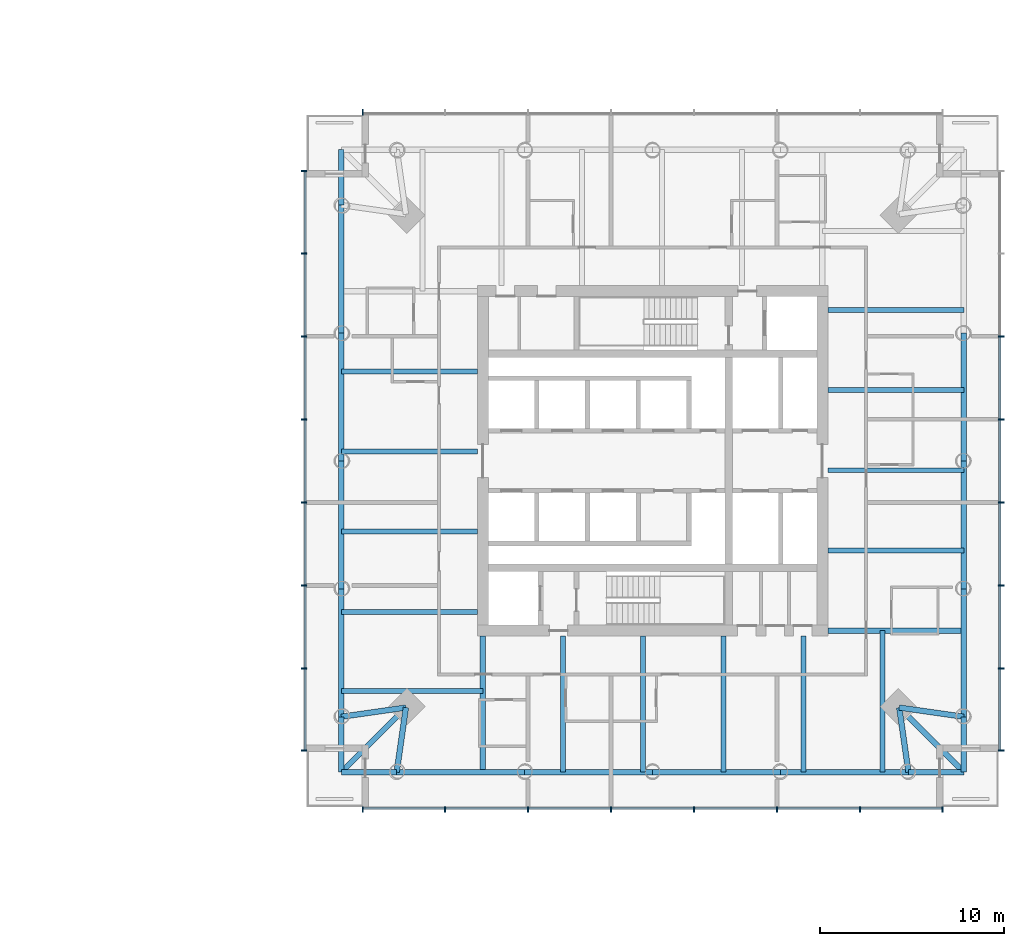
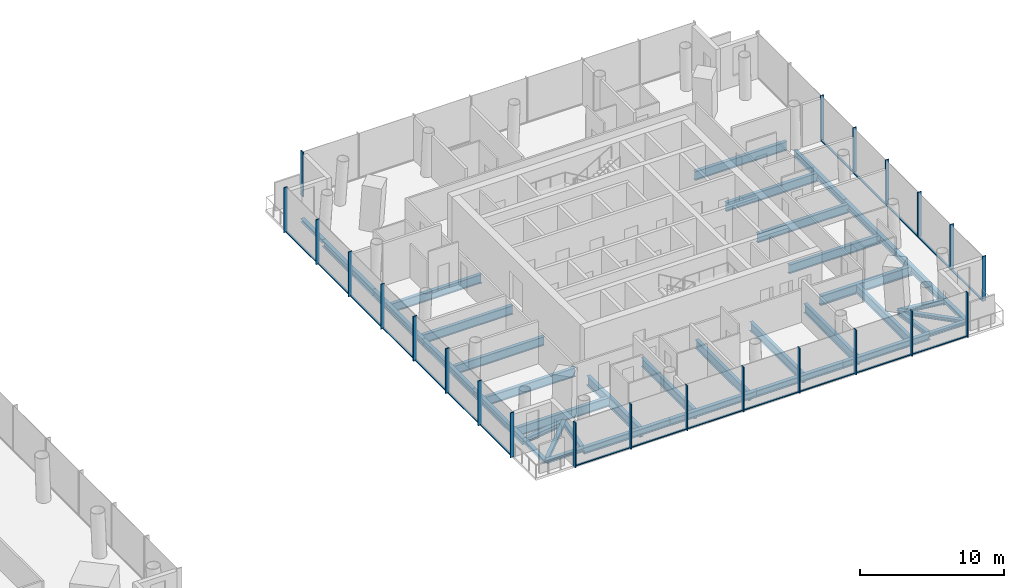
# One storey, part 4 of 18: 42 members, 38 beams, 4 elements without a shape of their own.
"""IFC4 building model written with IfcOpenShell, lengths in metres."""

from ifc_helpers import new_model, si_unit, direction, frame, origin, origin_2d, place, context, subcontext, project, spatial, rectangle, i_section, extrude, material, material_profile, profile_set, type_object, element, aggregate, save


model = new_model("IFC4")

# Units and contexts
model_context = context("Model", 3, precision=1e-05, world=origin(), true_north=direction((0.0, 1.0)))
body_context = subcontext(model_context, "Body", "Model", "MODEL_VIEW")
ifc_project = project(units=[si_unit("LENGTHUNIT", "METRE"), si_unit("AREAUNIT", "SQUARE_METRE"), si_unit("VOLUMEUNIT", "CUBIC_METRE"), si_unit("PLANEANGLEUNIT", "RADIAN"), si_unit("MASSUNIT", "GRAM", prefix="KILO")], contexts=[model_context])

# Site, building, storey
site_placement = place(None, origin())
site = spatial("IfcSite", under=ifc_project, at=site_placement, CompositionType="ELEMENT")
building_placement = place(site_placement, origin())
building = spatial("IfcBuilding", under=site, at=building_placement, Name="Ostroluk Exchange", CompositionType="ELEMENT")
storey_placement = place(building_placement, frame((0.0, 0.0, 70.39990234375)))
storey = spatial("IfcBuildingStorey", under=building, at=storey_placement, Name="L17", CompositionType="ELEMENT", Elevation=70.39990234375)

# Beams
ifc_material_1 = material(Name="Steel S355", Category="steel")
ifc_material_profile_1 = material_profile(ifc_material_1, i_section(OverallWidth=0.300048828125, OverallDepth=0.300048828125, WebThickness=0.010986328125, FlangeThickness=0.01904296875, FilletRadius=0.027099609375, at=origin_2d()), Name="HEB 300")
ifc_profile_set_1 = profile_set([ifc_material_profile_1], Name="Steel S355")
beam_type_1 = type_object("IfcBeamType", Name="Balcony beam HEB 300", PredefinedType="BEAM", material=ifc_profile_set_1)
for number, where, z_axis, x_axis, name in (
    (1, (100.12939453125, 59.87060546875, -0.349853515625), (0.0, 1.0, 0.0), (-1.0, 0.0, 0.0), "T2 north balcony beam b"),
    (2, (100.12939453125, 32.12939453125, -0.349853515625), (0.0, -1.0, 0.0), (1.0, 0.0, 0.0), "T2 west balcony beam a"),
    (3, (103.12939453125, 29.12939453125, -0.349853515625), (-1.0, 0.0, 0.0), (0.0, -1.0, 0.0), "T2 west balcony beam b"),
):
    element("IfcBeam", number, at=place(storey_placement, frame(where, z_axis=z_axis, x_axis=x_axis)), inside=storey, type_object=beam_type_1, Name=name, PredefinedType="BEAM", context=body_context, shape_type="SweptSolid", body=[
        extrude(i_section(OverallWidth=0.300048828125, OverallDepth=0.300048828125, WebThickness=0.010986328125, FlangeThickness=0.01904296875, FilletRadius=0.027099609375, at=origin_2d()), origin(), (0.0, 0.0, 1.0), 3.0),
    ])
beam_1_placement = place(storey_placement, frame((103.62939453125, 32.62939453125, -0.349853515625), z_axis=(-0.707106781187, -0.707106781187, 0.0), x_axis=(0.707106781187, -0.707106781187, 0.0)))
element("IfcBeam", 4, at=beam_1_placement, inside=storey, type_object=beam_type_1, Name="T2 west balcony beam c", PredefinedType="BEAM", context=body_context, shape_type="SweptSolid", body=[
    extrude(i_section(OverallWidth=0.300048828125, OverallDepth=0.300048828125, WebThickness=0.010986328125, FlangeThickness=0.01904296875, FilletRadius=0.027099609375, at=origin_2d()), origin(), (0.0, 0.0, 1.0), 4.94970703125),
])
for number, where, z_axis, x_axis, name in (
    (5, (130.87060546875, 29.12939453125, -0.349853515625), (1.0, 0.0, 0.0), (0.0, 1.0, 0.0), "T2 south balcony beam a"),
    (6, (133.87060546875, 32.12939453125, -0.349853515625), (0.0, -1.0, 0.0), (1.0, 0.0, 0.0), "T2 south balcony beam b"),
):
    element("IfcBeam", number, at=place(storey_placement, frame(where, z_axis=z_axis, x_axis=x_axis)), inside=storey, type_object=beam_type_1, Name=name, PredefinedType="BEAM", context=body_context, shape_type="SweptSolid", body=[
        extrude(i_section(OverallWidth=0.300048828125, OverallDepth=0.300048828125, WebThickness=0.010986328125, FlangeThickness=0.01904296875, FilletRadius=0.027099609375, at=origin_2d()), origin(), (0.0, 0.0, 1.0), 3.0),
    ])
beam_2_placement = place(storey_placement, frame((130.37060546875, 32.62939453125, -0.349853515625), z_axis=(0.707106781187, -0.707106781187, 0.0), x_axis=(0.707106781187, 0.707106781187, 0.0)))
element("IfcBeam", 7, at=beam_2_placement, inside=storey, type_object=beam_type_1, Name="T2 south balcony beam c", PredefinedType="BEAM", context=body_context, shape_type="SweptSolid", body=[
    extrude(i_section(OverallWidth=0.300048828125, OverallDepth=0.300048828125, WebThickness=0.010986328125, FlangeThickness=0.01904296875, FilletRadius=0.027099609375, at=origin_2d()), origin(), (0.0, 0.0, 1.0), 4.94970703125),
])
ifc_material_2 = material(Name="Steel S355", Category="steel")
ifc_material_profile_2 = material_profile(ifc_material_2, i_section(OverallWidth=0.300048828125, OverallDepth=0.39990234375, WebThickness=0.013427734375, FlangeThickness=0.02392578125, FilletRadius=0.027099609375, at=origin_2d()), Name="HEB 400")
ifc_profile_set_2 = profile_set([ifc_material_profile_2], Name="Steel S355")
beam_type_2 = type_object("IfcBeamType", Name="Corner edge beam HEB 400", PredefinedType="SPANDREL", material=ifc_profile_set_2)
for number, where, z_axis, x_axis, name in (
    (8, (103.62939453125, 32.62939453125, -0.39990234375), (-0.989949493661, -0.141421356237, 0.0), (0.141421356237, -0.989949493661, 0.0), "T2 west corner edge beam a"),
    (9, (103.62939453125, 32.62939453125, -0.39990234375), (-0.141421356237, -0.989949493661, 0.0), (0.989949493661, -0.141421356237, 0.0), "T2 west corner edge beam b"),
    (10, (130.37060546875, 32.62939453125, -0.39990234375), (0.141421356237, -0.989949493661, 0.0), (0.989949493661, 0.141421356237, 0.0), "T2 south corner edge beam a"),
    (11, (130.37060546875, 32.62939453125, -0.39990234375), (0.989949493661, -0.141421356237, 0.0), (0.141421356237, 0.989949493661, 0.0), "T2 south corner edge beam b"),
):
    element("IfcBeam", number, at=place(storey_placement, frame(where, z_axis=z_axis, x_axis=x_axis)), inside=storey, type_object=beam_type_2, Name=name, PredefinedType="SPANDREL", context=body_context, shape_type="SweptSolid", body=[
        extrude(i_section(OverallWidth=0.300048828125, OverallDepth=0.39990234375, WebThickness=0.013427734375, FlangeThickness=0.02392578125, FilletRadius=0.027099609375, at=origin_2d()), origin(), (0.0, 0.0, 1.0), 3.53564453125),
    ])
ifc_material_3 = material(Name="Steel S355", Category="steel")
ifc_material_profile_3 = material_profile(ifc_material_3, i_section(OverallWidth=0.264892578125, OverallDepth=0.7529296875, WebThickness=0.01318359375, FlangeThickness=0.01708984375, FilletRadius=0.01708984375, at=origin_2d()), Name="IPE 750x147")
ifc_profile_set_3 = profile_set([ifc_material_profile_3], Name="Steel S355")
beam_type_3 = type_object("IfcBeamType", Name="Floor beam IPE 750x147", PredefinedType="BEAM", material=ifc_profile_set_3)
for number, where, z_axis, x_axis, name in (
    (12, (126.5, 41.14501953125, -0.576416015625), (1.0, 0.0, 0.0), (0.0, 1.0, 0.0), "T2 east floor beam 1"),
    (13, (126.5, 45.490234375, -0.576416015625), (1.0, 0.0, 0.0), (0.0, 1.0, 0.0), "T2 east floor beam 2"),
    (14, (126.5, 49.83544921875, -0.576416015625), (1.0, 0.0, 0.0), (0.0, 1.0, 0.0), "T2 east floor beam 3"),
    (15, (126.5, 54.180419921875, -0.576416015625), (1.0, 0.0, 0.0), (0.0, 1.0, 0.0), "T2 east floor beam 4"),
    (16, (107.5, 50.85498046875, -0.576416015625), (-1.0, 0.0, 0.0), (0.0, -1.0, 0.0), "T2 west floor beam 1"),
    (17, (107.5, 46.509765625, -0.576416015625), (-1.0, 0.0, 0.0), (0.0, -1.0, 0.0), "T2 west floor beam 2"),
    (18, (107.5, 42.16455078125, -0.576416015625), (-1.0, 0.0, 0.0), (0.0, -1.0, 0.0), "T2 west floor beam 3"),
    (19, (107.5, 37.819580078125, -0.576416015625), (-1.0, 0.0, 0.0), (0.0, -1.0, 0.0), "T2 west floor beam 4"),
):
    element("IfcBeam", number, at=place(storey_placement, frame(where, z_axis=z_axis, x_axis=x_axis)), inside=storey, type_object=beam_type_3, Name=name, PredefinedType="BEAM", context=body_context, shape_type="SweptSolid", body=[
        extrude(i_section(OverallWidth=0.264892578125, OverallDepth=0.7529296875, WebThickness=0.01318359375, FlangeThickness=0.01708984375, FilletRadius=0.01708984375, at=origin_2d()), origin(), (0.0, 0.0, 1.0), 7.37060546875),
    ])
beam_3_placement = place(storey_placement, frame((107.800048828125, 33.529296875, -0.576416015625), z_axis=(-1.0, 0.0, 0.0), x_axis=(0.0, -1.0, 0.0)))
element("IfcBeam", 20, at=beam_3_placement, inside=storey, type_object=beam_type_3, Name="T2 west floor beam 5", PredefinedType="BEAM", context=body_context, shape_type="SweptSolid", body=[
    extrude(i_section(OverallWidth=0.264892578125, OverallDepth=0.7529296875, WebThickness=0.01318359375, FlangeThickness=0.01708984375, FilletRadius=0.01708984375, at=origin_2d()), origin(), (0.0, 0.0, 1.0), 7.670654296875),
])
for number, where, z_axis, x_axis, name in (
    (21, (112.14501953125, 36.5, -0.576416015625), (0.0, -1.0, 0.0), (1.0, 0.0, 0.0), "T2 south floor beam 1"),
    (22, (116.490234375, 36.5, -0.576416015625), (0.0, -1.0, 0.0), (1.0, 0.0, 0.0), "T2 south floor beam 2"),
    (23, (120.83544921875, 36.5, -0.576416015625), (0.0, -1.0, 0.0), (1.0, 0.0, 0.0), "T2 south floor beam 3"),
    (24, (125.180419921875, 36.5, -0.576416015625), (0.0, -1.0, 0.0), (1.0, 0.0, 0.0), "T2 south floor beam 4"),
):
    element("IfcBeam", number, at=place(storey_placement, frame(where, z_axis=z_axis, x_axis=x_axis)), inside=storey, type_object=beam_type_3, Name=name, PredefinedType="BEAM", context=body_context, shape_type="SweptSolid", body=[
        extrude(i_section(OverallWidth=0.264892578125, OverallDepth=0.7529296875, WebThickness=0.01318359375, FlangeThickness=0.01708984375, FilletRadius=0.01708984375, at=origin_2d()), origin(), (0.0, 0.0, 1.0), 7.37060546875),
    ])
beam_4_placement = place(storey_placement, frame((129.470703125, 36.800048828125, -0.576416015625), z_axis=(0.0, -1.0, 0.0), x_axis=(1.0, 0.0, 0.0)))
element("IfcBeam", 25, at=beam_4_placement, inside=storey, type_object=beam_type_3, Name="T2 south floor beam 5", PredefinedType="BEAM", context=body_context, shape_type="SweptSolid", body=[
    extrude(i_section(OverallWidth=0.264892578125, OverallDepth=0.7529296875, WebThickness=0.01318359375, FlangeThickness=0.01708984375, FilletRadius=0.01708984375, at=origin_2d()), origin(), (0.0, 0.0, 1.0), 7.670654296875),
])
ifc_material_4 = material(Name="Steel S355", Category="steel")
ifc_material_profile_4 = material_profile(ifc_material_4, i_section(OverallWidth=0.300048828125, OverallDepth=0.800048828125, WebThickness=0.017578125, FlangeThickness=0.032958984375, FilletRadius=0.030029296875, at=origin_2d()), Name="HEB 800")
ifc_profile_set_4 = profile_set([ifc_material_profile_4], Name="Steel S355")
beam_type_4 = type_object("IfcBeamType", Name="Girder HEB 800", PredefinedType="BEAM", material=ifc_profile_set_4)
for number, where, z_axis, x_axis, name in (
    (26, (107.800048828125, 36.5, -0.599853515625), (0.0, -1.0, 0.0), (1.0, 0.0, 0.0), "T2 west girder"),
    (27, (126.5, 36.800048828125, -0.599853515625), (1.0, 0.0, 0.0), (0.0, 1.0, 0.0), "T2 south girder"),
):
    element("IfcBeam", number, at=place(storey_placement, frame(where, z_axis=z_axis, x_axis=x_axis)), inside=storey, type_object=beam_type_4, Name=name, PredefinedType="BEAM", context=body_context, shape_type="SweptSolid", body=[
        extrude(i_section(OverallWidth=0.300048828125, OverallDepth=0.800048828125, WebThickness=0.017578125, FlangeThickness=0.032958984375, FilletRadius=0.030029296875, at=origin_2d()), origin(), (0.0, 0.0, 1.0), 7.37060546875),
    ])
ifc_material_5 = material(Name="Steel S355", Category="steel")
ifc_material_profile_5 = material_profile(ifc_material_5, i_section(OverallWidth=0.300048828125, OverallDepth=0.550048828125, WebThickness=0.014892578125, FlangeThickness=0.029052734375, FilletRadius=0.027099609375, at=origin_2d()), Name="HEB 550")
ifc_profile_set_5 = profile_set([ifc_material_profile_5], Name="Steel S355")
beam_type_5 = type_object("IfcBeamType", Name="Moment-connected edge beam HEB 550", PredefinedType="SPANDREL", material=ifc_profile_set_5)
for number, where, z_axis, x_axis, name in (
    (28, (133.87060546875, 32.12939453125, -0.474853515625), (0.0, 1.0, 0.0), (-1.0, 0.0, 0.0), "T2 east edge beam 1"),
    (29, (133.87060546875, 39.064697265625, -0.474853515625), (0.0, 1.0, 0.0), (-1.0, 0.0, 0.0), "T2 east edge beam 2"),
    (30, (133.87060546875, 46.0, -0.474853515625), (0.0, 1.0, 0.0), (-1.0, 0.0, 0.0), "T2 east edge beam 3"),
    (31, (100.12939453125, 59.87060546875, -0.474853515625), (0.0, -1.0, 0.0), (1.0, 0.0, 0.0), "T2 west edge beam 1"),
    (32, (100.12939453125, 52.935302734375, -0.474853515625), (0.0, -1.0, 0.0), (1.0, 0.0, 0.0), "T2 west edge beam 2"),
    (33, (100.12939453125, 46.0, -0.474853515625), (0.0, -1.0, 0.0), (1.0, 0.0, 0.0), "T2 west edge beam 3"),
    (34, (100.12939453125, 39.064697265625, -0.474853515625), (0.0, -1.0, 0.0), (1.0, 0.0, 0.0), "T2 west edge beam 4"),
    (35, (103.12939453125, 29.12939453125, -0.474853515625), (1.0, 0.0, 0.0), (0.0, 1.0, 0.0), "T2 south edge beam 1"),
    (36, (110.064697265625, 29.12939453125, -0.474853515625), (1.0, 0.0, 0.0), (0.0, 1.0, 0.0), "T2 south edge beam 2"),
    (37, (117.0, 29.12939453125, -0.474853515625), (1.0, 0.0, 0.0), (0.0, 1.0, 0.0), "T2 south edge beam 3"),
    (38, (123.935302734375, 29.12939453125, -0.474853515625), (1.0, 0.0, 0.0), (0.0, 1.0, 0.0), "T2 south edge beam 4"),
):
    element("IfcBeam", number, at=place(storey_placement, frame(where, z_axis=z_axis, x_axis=x_axis)), inside=storey, type_object=beam_type_5, Name=name, PredefinedType="SPANDREL", context=body_context, shape_type="SweptSolid", body=[
        extrude(i_section(OverallWidth=0.300048828125, OverallDepth=0.550048828125, WebThickness=0.014892578125, FlangeThickness=0.029052734375, FilletRadius=0.027099609375, at=origin_2d()), origin(), (0.0, 0.0, 1.0), 6.935302734375),
    ])

# Curtain wall, members
ifc_material_6 = material(Name="Laminated clear glass", Category="glass")
curtain_wall_type = type_object("IfcCurtainWallType", Name="Hotel guest floor facade", PredefinedType="USERDEFINED", material=ifc_material_6)
curtain_wall_1_placement = place(storey_placement, origin())
curtain_wall_1 = element("IfcCurtainWall", 39, at=curtain_wall_1_placement, inside=storey, type_object=curtain_wall_type, Name="Hotel tower south facade L17", ObjectType="UNITISED CURTAIN WALL", PredefinedType="USERDEFINED")
ifc_material_7 = material(Name="Aluminium mullion", Category="aluminium")
ifc_material_profile_6 = material_profile(ifc_material_7, rectangle(XDim=0.14990234375, YDim=0.080078125, at=origin_2d()), Name="Sill transom 80 x 150")
ifc_profile_set_6 = profile_set([ifc_material_profile_6], Name="Aluminium mullion")
member_type_1 = type_object("IfcMemberType", Name="Sill transom 80 x 150", PredefinedType="USERDEFINED", material=ifc_profile_set_6)
member_1_placement = place(storey_placement, frame((101.330078125, 27.175048828125, 0.0400390625), z_axis=(1.0, 0.0, 0.0), x_axis=(0.0, 1.0, 0.0)))
member_1 = element("IfcMember", 40, at=member_1_placement, type_object=member_type_1, Name="CW-H1 transom 1.1", ObjectType="TRANSOM", PredefinedType="USERDEFINED", context=body_context, shape_type="SweptSolid", body=[
    extrude(rectangle(XDim=0.14990234375, YDim=0.080078125, at=origin_2d()), origin(), (0.0, 0.0, 1.0), 4.3798828125),
])
member_2_placement = place(storey_placement, frame((105.7900390625, 27.175048828125, 0.0400390625), z_axis=(1.0, 0.0, 0.0), x_axis=(0.0, 1.0, 0.0)))
member_2 = element("IfcMember", 41, at=member_2_placement, type_object=member_type_1, Name="CW-H1 transom 2.1", ObjectType="TRANSOM", PredefinedType="USERDEFINED", context=body_context, shape_type="SweptSolid", body=[
    extrude(rectangle(XDim=0.14990234375, YDim=0.080078125, at=origin_2d()), origin(), (0.0, 0.0, 1.0), 4.419921875),
])
member_3_placement = place(storey_placement, frame((110.2900390625, 27.175048828125, 0.0400390625), z_axis=(1.0, 0.0, 0.0), x_axis=(0.0, 1.0, 0.0)))
member_3 = element("IfcMember", 42, at=member_3_placement, type_object=member_type_1, Name="CW-H1 transom 3.1", ObjectType="TRANSOM", PredefinedType="USERDEFINED", context=body_context, shape_type="SweptSolid", body=[
    extrude(rectangle(XDim=0.14990234375, YDim=0.080078125, at=origin_2d()), origin(), (0.0, 0.0, 1.0), 4.419921875),
])
member_4_placement = place(storey_placement, frame((114.7900390625, 27.175048828125, 0.0400390625), z_axis=(1.0, 0.0, 0.0), x_axis=(0.0, 1.0, 0.0)))
member_4 = element("IfcMember", 43, at=member_4_placement, type_object=member_type_1, Name="CW-H1 transom 4.1", ObjectType="TRANSOM", PredefinedType="USERDEFINED", context=body_context, shape_type="SweptSolid", body=[
    extrude(rectangle(XDim=0.14990234375, YDim=0.080078125, at=origin_2d()), origin(), (0.0, 0.0, 1.0), 4.419921875),
])
member_5_placement = place(storey_placement, frame((119.2900390625, 27.175048828125, 0.0400390625), z_axis=(1.0, 0.0, 0.0), x_axis=(0.0, 1.0, 0.0)))
member_5 = element("IfcMember", 44, at=member_5_placement, type_object=member_type_1, Name="CW-H1 transom 5.1", ObjectType="TRANSOM", PredefinedType="USERDEFINED", context=body_context, shape_type="SweptSolid", body=[
    extrude(rectangle(XDim=0.14990234375, YDim=0.080078125, at=origin_2d()), origin(), (0.0, 0.0, 1.0), 4.419921875),
])
member_6_placement = place(storey_placement, frame((123.7900390625, 27.175048828125, 0.0400390625), z_axis=(1.0, 0.0, 0.0), x_axis=(0.0, 1.0, 0.0)))
member_6 = element("IfcMember", 45, at=member_6_placement, type_object=member_type_1, Name="CW-H1 transom 6.1", ObjectType="TRANSOM", PredefinedType="USERDEFINED", context=body_context, shape_type="SweptSolid", body=[
    extrude(rectangle(XDim=0.14990234375, YDim=0.080078125, at=origin_2d()), origin(), (0.0, 0.0, 1.0), 4.419921875),
])
member_7_placement = place(storey_placement, frame((128.2900390625, 27.175048828125, 0.0400390625), z_axis=(1.0, 0.0, 0.0), x_axis=(0.0, 1.0, 0.0)))
member_7 = element("IfcMember", 46, at=member_7_placement, type_object=member_type_1, Name="CW-H1 transom 7.1", ObjectType="TRANSOM", PredefinedType="USERDEFINED", context=body_context, shape_type="SweptSolid", body=[
    extrude(rectangle(XDim=0.14990234375, YDim=0.080078125, at=origin_2d()), origin(), (0.0, 0.0, 1.0), 4.3798828125),
])

curtain_wall_2_placement = place(storey_placement, origin())
curtain_wall_2 = element("IfcCurtainWall", 47, at=curtain_wall_2_placement, inside=storey, type_object=curtain_wall_type, Name="Hotel tower east facade L17", ObjectType="UNITISED CURTAIN WALL", PredefinedType="USERDEFINED")
member_8_placement = place(storey_placement, frame((135.824951171875, 30.330078125, 0.0400390625), z_axis=(0.0, 1.0, 0.0), x_axis=(-1.0, 0.0, 0.0)))
member_8 = element("IfcMember", 48, at=member_8_placement, type_object=member_type_1, Name="CW-H1 transom 1.1", ObjectType="TRANSOM", PredefinedType="USERDEFINED", context=body_context, shape_type="SweptSolid", body=[
    extrude(rectangle(XDim=0.14990234375, YDim=0.080078125, at=origin_2d()), origin(), (0.0, 0.0, 1.0), 4.3798828125),
])
member_9_placement = place(storey_placement, frame((135.824951171875, 34.7900390625, 0.0400390625), z_axis=(0.0, 1.0, 0.0), x_axis=(-1.0, 0.0, 0.0)))
member_9 = element("IfcMember", 49, at=member_9_placement, type_object=member_type_1, Name="CW-H1 transom 2.1", ObjectType="TRANSOM", PredefinedType="USERDEFINED", context=body_context, shape_type="SweptSolid", body=[
    extrude(rectangle(XDim=0.14990234375, YDim=0.080078125, at=origin_2d()), origin(), (0.0, 0.0, 1.0), 4.419921875),
])
member_10_placement = place(storey_placement, frame((135.824951171875, 39.2900390625, 0.0400390625), z_axis=(0.0, 1.0, 0.0), x_axis=(-1.0, 0.0, 0.0)))
member_10 = element("IfcMember", 50, at=member_10_placement, type_object=member_type_1, Name="CW-H1 transom 3.1", ObjectType="TRANSOM", PredefinedType="USERDEFINED", context=body_context, shape_type="SweptSolid", body=[
    extrude(rectangle(XDim=0.14990234375, YDim=0.080078125, at=origin_2d()), origin(), (0.0, 0.0, 1.0), 4.419921875),
])
member_11_placement = place(storey_placement, frame((135.824951171875, 43.7900390625, 0.0400390625), z_axis=(0.0, 1.0, 0.0), x_axis=(-1.0, 0.0, 0.0)))
member_11 = element("IfcMember", 51, at=member_11_placement, type_object=member_type_1, Name="CW-H1 transom 4.1", ObjectType="TRANSOM", PredefinedType="USERDEFINED", context=body_context, shape_type="SweptSolid", body=[
    extrude(rectangle(XDim=0.14990234375, YDim=0.080078125, at=origin_2d()), origin(), (0.0, 0.0, 1.0), 4.419921875),
])
member_12_placement = place(storey_placement, frame((135.824951171875, 48.2900390625, 0.0400390625), z_axis=(0.0, 1.0, 0.0), x_axis=(-1.0, 0.0, 0.0)))
member_12 = element("IfcMember", 52, at=member_12_placement, type_object=member_type_1, Name="CW-H1 transom 5.1", ObjectType="TRANSOM", PredefinedType="USERDEFINED", context=body_context, shape_type="SweptSolid", body=[
    extrude(rectangle(XDim=0.14990234375, YDim=0.080078125, at=origin_2d()), origin(), (0.0, 0.0, 1.0), 4.419921875),
])

curtain_wall_3_placement = place(storey_placement, origin())
curtain_wall_3 = element("IfcCurtainWall", 53, at=curtain_wall_3_placement, inside=storey, type_object=curtain_wall_type, Name="Hotel tower west facade L17", ObjectType="UNITISED CURTAIN WALL", PredefinedType="USERDEFINED")
member_13_placement = place(storey_placement, frame((98.175048828125, 61.669921875, 0.0400390625), z_axis=(0.0, -1.0, 0.0), x_axis=(1.0, 0.0, 0.0)))
member_13 = element("IfcMember", 54, at=member_13_placement, type_object=member_type_1, Name="CW-H1 transom 1.1", ObjectType="TRANSOM", PredefinedType="USERDEFINED", context=body_context, shape_type="SweptSolid", body=[
    extrude(rectangle(XDim=0.14990234375, YDim=0.080078125, at=origin_2d()), origin(), (0.0, 0.0, 1.0), 4.3798828125),
])
member_14_placement = place(storey_placement, frame((98.175048828125, 57.2099609375, 0.0400390625), z_axis=(0.0, -1.0, 0.0), x_axis=(1.0, 0.0, 0.0)))
member_14 = element("IfcMember", 55, at=member_14_placement, type_object=member_type_1, Name="CW-H1 transom 2.1", ObjectType="TRANSOM", PredefinedType="USERDEFINED", context=body_context, shape_type="SweptSolid", body=[
    extrude(rectangle(XDim=0.14990234375, YDim=0.080078125, at=origin_2d()), origin(), (0.0, 0.0, 1.0), 4.419921875),
])
member_15_placement = place(storey_placement, frame((98.175048828125, 52.7099609375, 0.0400390625), z_axis=(0.0, -1.0, 0.0), x_axis=(1.0, 0.0, 0.0)))
member_15 = element("IfcMember", 56, at=member_15_placement, type_object=member_type_1, Name="CW-H1 transom 3.1", ObjectType="TRANSOM", PredefinedType="USERDEFINED", context=body_context, shape_type="SweptSolid", body=[
    extrude(rectangle(XDim=0.14990234375, YDim=0.080078125, at=origin_2d()), origin(), (0.0, 0.0, 1.0), 4.419921875),
])
member_16_placement = place(storey_placement, frame((98.175048828125, 48.2099609375, 0.0400390625), z_axis=(0.0, -1.0, 0.0), x_axis=(1.0, 0.0, 0.0)))
member_16 = element("IfcMember", 57, at=member_16_placement, type_object=member_type_1, Name="CW-H1 transom 4.1", ObjectType="TRANSOM", PredefinedType="USERDEFINED", context=body_context, shape_type="SweptSolid", body=[
    extrude(rectangle(XDim=0.14990234375, YDim=0.080078125, at=origin_2d()), origin(), (0.0, 0.0, 1.0), 4.419921875),
])
member_17_placement = place(storey_placement, frame((98.175048828125, 43.7099609375, 0.0400390625), z_axis=(0.0, -1.0, 0.0), x_axis=(1.0, 0.0, 0.0)))
member_17 = element("IfcMember", 58, at=member_17_placement, type_object=member_type_1, Name="CW-H1 transom 5.1", ObjectType="TRANSOM", PredefinedType="USERDEFINED", context=body_context, shape_type="SweptSolid", body=[
    extrude(rectangle(XDim=0.14990234375, YDim=0.080078125, at=origin_2d()), origin(), (0.0, 0.0, 1.0), 4.419921875),
])
member_18_placement = place(storey_placement, frame((98.175048828125, 39.2099609375, 0.0400390625), z_axis=(0.0, -1.0, 0.0), x_axis=(1.0, 0.0, 0.0)))
member_18 = element("IfcMember", 59, at=member_18_placement, type_object=member_type_1, Name="CW-H1 transom 6.1", ObjectType="TRANSOM", PredefinedType="USERDEFINED", context=body_context, shape_type="SweptSolid", body=[
    extrude(rectangle(XDim=0.14990234375, YDim=0.080078125, at=origin_2d()), origin(), (0.0, 0.0, 1.0), 4.419921875),
])
member_19_placement = place(storey_placement, frame((98.175048828125, 34.7099609375, 0.0400390625), z_axis=(0.0, -1.0, 0.0), x_axis=(1.0, 0.0, 0.0)))
member_19 = element("IfcMember", 60, at=member_19_placement, type_object=member_type_1, Name="CW-H1 transom 7.1", ObjectType="TRANSOM", PredefinedType="USERDEFINED", context=body_context, shape_type="SweptSolid", body=[
    extrude(rectangle(XDim=0.14990234375, YDim=0.080078125, at=origin_2d()), origin(), (0.0, 0.0, 1.0), 4.3798828125),
])

# Member
ifc_material_8 = material(Name="Aluminium mullion with limestone facing", Category="masonry")
ifc_material_profile_7 = material_profile(ifc_material_8, rectangle(XDim=0.300048828125, YDim=0.080078125, at=origin_2d()), Name="Tracery mullion 80 x 300")
ifc_profile_set_7 = profile_set([ifc_material_profile_7], Name="Aluminium mullion with limestone facing")
member_type_2 = type_object("IfcMemberType", Name="Tracery mullion 80 x 300", PredefinedType="MULLION", material=ifc_profile_set_7)
member_20_placement = place(storey_placement, frame((101.2900390625, 27.10009765625, 0.0), z_axis=(0.0, 0.0, 1.0), x_axis=(0.0, 1.0, 0.0)))
member_20 = element("IfcMember", 61, at=member_20_placement, type_object=member_type_2, Name="CW-H1 mullion 1", PredefinedType="MULLION", context=body_context, shape_type="SweptSolid", body=[
    extrude(rectangle(XDim=0.300048828125, YDim=0.080078125, at=origin_2d()), origin(), (0.0, 0.0, 1.0), 3.800048828125),
])

member_21_placement = place(storey_placement, frame((105.75, 27.10009765625, 0.0), z_axis=(0.0, 0.0, 1.0), x_axis=(0.0, 1.0, 0.0)))
member_21 = element("IfcMember", 62, at=member_21_placement, type_object=member_type_2, Name="CW-H1 mullion 2", PredefinedType="MULLION", context=body_context, shape_type="SweptSolid", body=[
    extrude(rectangle(XDim=0.300048828125, YDim=0.080078125, at=origin_2d()), origin(), (0.0, 0.0, 1.0), 3.800048828125),
])

member_22_placement = place(storey_placement, frame((110.25, 27.10009765625, 0.0), z_axis=(0.0, 0.0, 1.0), x_axis=(0.0, 1.0, 0.0)))
member_22 = element("IfcMember", 63, at=member_22_placement, type_object=member_type_2, Name="CW-H1 mullion 3", PredefinedType="MULLION", context=body_context, shape_type="SweptSolid", body=[
    extrude(rectangle(XDim=0.300048828125, YDim=0.080078125, at=origin_2d()), origin(), (0.0, 0.0, 1.0), 3.800048828125),
])

member_23_placement = place(storey_placement, frame((114.75, 27.10009765625, 0.0), z_axis=(0.0, 0.0, 1.0), x_axis=(0.0, 1.0, 0.0)))
member_23 = element("IfcMember", 64, at=member_23_placement, type_object=member_type_2, Name="CW-H1 mullion 4", PredefinedType="MULLION", context=body_context, shape_type="SweptSolid", body=[
    extrude(rectangle(XDim=0.300048828125, YDim=0.080078125, at=origin_2d()), origin(), (0.0, 0.0, 1.0), 3.800048828125),
])

member_24_placement = place(storey_placement, frame((119.25, 27.10009765625, 0.0), z_axis=(0.0, 0.0, 1.0), x_axis=(0.0, 1.0, 0.0)))
member_24 = element("IfcMember", 65, at=member_24_placement, type_object=member_type_2, Name="CW-H1 mullion 5", PredefinedType="MULLION", context=body_context, shape_type="SweptSolid", body=[
    extrude(rectangle(XDim=0.300048828125, YDim=0.080078125, at=origin_2d()), origin(), (0.0, 0.0, 1.0), 3.800048828125),
])

member_25_placement = place(storey_placement, frame((123.75, 27.10009765625, 0.0), z_axis=(0.0, 0.0, 1.0), x_axis=(0.0, 1.0, 0.0)))
member_25 = element("IfcMember", 66, at=member_25_placement, type_object=member_type_2, Name="CW-H1 mullion 6", PredefinedType="MULLION", context=body_context, shape_type="SweptSolid", body=[
    extrude(rectangle(XDim=0.300048828125, YDim=0.080078125, at=origin_2d()), origin(), (0.0, 0.0, 1.0), 3.800048828125),
])

member_26_placement = place(storey_placement, frame((128.25, 27.10009765625, 0.0), z_axis=(0.0, 0.0, 1.0), x_axis=(0.0, 1.0, 0.0)))
member_26 = element("IfcMember", 67, at=member_26_placement, type_object=member_type_2, Name="CW-H1 mullion 7", PredefinedType="MULLION", context=body_context, shape_type="SweptSolid", body=[
    extrude(rectangle(XDim=0.300048828125, YDim=0.080078125, at=origin_2d()), origin(), (0.0, 0.0, 1.0), 3.800048828125),
])

member_27_placement = place(storey_placement, frame((132.7099609375, 27.10009765625, 0.0), z_axis=(0.0, 0.0, 1.0), x_axis=(0.0, 1.0, 0.0)))
member_27 = element("IfcMember", 68, at=member_27_placement, type_object=member_type_2, Name="CW-H1 mullion 8", PredefinedType="MULLION", context=body_context, shape_type="SweptSolid", body=[
    extrude(rectangle(XDim=0.300048828125, YDim=0.080078125, at=origin_2d()), origin(), (0.0, 0.0, 1.0), 3.800048828125),
])

aggregate(curtain_wall_1, [member_20, member_21, member_22, member_23, member_24, member_25, member_26, member_27, member_1, member_2, member_3, member_4, member_5, member_6, member_7])

member_28_placement = place(storey_placement, frame((135.89990234375, 30.2900390625, 0.0), z_axis=(0.0, 0.0, 1.0), x_axis=(-1.0, 0.0, 0.0)))
member_28 = element("IfcMember", 69, at=member_28_placement, type_object=member_type_2, Name="CW-H1 mullion 1", PredefinedType="MULLION", context=body_context, shape_type="SweptSolid", body=[
    extrude(rectangle(XDim=0.300048828125, YDim=0.080078125, at=origin_2d()), origin(), (0.0, 0.0, 1.0), 3.800048828125),
])

member_29_placement = place(storey_placement, frame((135.89990234375, 34.75, 0.0), z_axis=(0.0, 0.0, 1.0), x_axis=(-1.0, 0.0, 0.0)))
member_29 = element("IfcMember", 70, at=member_29_placement, type_object=member_type_2, Name="CW-H1 mullion 2", PredefinedType="MULLION", context=body_context, shape_type="SweptSolid", body=[
    extrude(rectangle(XDim=0.300048828125, YDim=0.080078125, at=origin_2d()), origin(), (0.0, 0.0, 1.0), 3.800048828125),
])

member_30_placement = place(storey_placement, frame((135.89990234375, 39.25, 0.0), z_axis=(0.0, 0.0, 1.0), x_axis=(-1.0, 0.0, 0.0)))
member_30 = element("IfcMember", 71, at=member_30_placement, type_object=member_type_2, Name="CW-H1 mullion 3", PredefinedType="MULLION", context=body_context, shape_type="SweptSolid", body=[
    extrude(rectangle(XDim=0.300048828125, YDim=0.080078125, at=origin_2d()), origin(), (0.0, 0.0, 1.0), 3.800048828125),
])

member_31_placement = place(storey_placement, frame((135.89990234375, 43.75, 0.0), z_axis=(0.0, 0.0, 1.0), x_axis=(-1.0, 0.0, 0.0)))
member_31 = element("IfcMember", 72, at=member_31_placement, type_object=member_type_2, Name="CW-H1 mullion 4", PredefinedType="MULLION", context=body_context, shape_type="SweptSolid", body=[
    extrude(rectangle(XDim=0.300048828125, YDim=0.080078125, at=origin_2d()), origin(), (0.0, 0.0, 1.0), 3.800048828125),
])

member_32_placement = place(storey_placement, frame((135.89990234375, 48.25, 0.0), z_axis=(0.0, 0.0, 1.0), x_axis=(-1.0, 0.0, 0.0)))
member_32 = element("IfcMember", 73, at=member_32_placement, type_object=member_type_2, Name="CW-H1 mullion 5", PredefinedType="MULLION", context=body_context, shape_type="SweptSolid", body=[
    extrude(rectangle(XDim=0.300048828125, YDim=0.080078125, at=origin_2d()), origin(), (0.0, 0.0, 1.0), 3.800048828125),
])

member_33_placement = place(storey_placement, frame((135.89990234375, 52.75, 0.0), z_axis=(0.0, 0.0, 1.0), x_axis=(-1.0, 0.0, 0.0)))
member_33 = element("IfcMember", 74, at=member_33_placement, type_object=member_type_2, Name="CW-H1 mullion 6", PredefinedType="MULLION", context=body_context, shape_type="SweptSolid", body=[
    extrude(rectangle(XDim=0.300048828125, YDim=0.080078125, at=origin_2d()), origin(), (0.0, 0.0, 1.0), 3.800048828125),
])

aggregate(curtain_wall_2, [member_28, member_29, member_30, member_31, member_32, member_33, member_8, member_9, member_10, member_11, member_12])

# Curtain wall, member
curtain_wall_4_placement = place(storey_placement, origin())
curtain_wall_4 = element("IfcCurtainWall", 75, at=curtain_wall_4_placement, inside=storey, type_object=curtain_wall_type, Name="Hotel tower north facade L17", ObjectType="UNITISED CURTAIN WALL", PredefinedType="USERDEFINED")
member_34_placement = place(storey_placement, frame((101.2900390625, 64.89990234375, 0.0), z_axis=(0.0, 0.0, 1.0), x_axis=(0.0, -1.0, 0.0)))
member_34 = element("IfcMember", 76, at=member_34_placement, type_object=member_type_2, Name="CW-H1 mullion 8", PredefinedType="MULLION", context=body_context, shape_type="SweptSolid", body=[
    extrude(rectangle(XDim=0.300048828125, YDim=0.080078125, at=origin_2d()), origin(), (0.0, 0.0, 1.0), 3.800048828125),
])
aggregate(curtain_wall_4, [member_34])

# Member
member_35_placement = place(storey_placement, frame((98.10009765625, 61.7099609375, 0.0), z_axis=(0.0, 0.0, 1.0), x_axis=(1.0, 0.0, 0.0)))
member_35 = element("IfcMember", 77, at=member_35_placement, type_object=member_type_2, Name="CW-H1 mullion 1", PredefinedType="MULLION", context=body_context, shape_type="SweptSolid", body=[
    extrude(rectangle(XDim=0.300048828125, YDim=0.080078125, at=origin_2d()), origin(), (0.0, 0.0, 1.0), 3.800048828125),
])

member_36_placement = place(storey_placement, frame((98.10009765625, 57.25, 0.0), z_axis=(0.0, 0.0, 1.0), x_axis=(1.0, 0.0, 0.0)))
member_36 = element("IfcMember", 78, at=member_36_placement, type_object=member_type_2, Name="CW-H1 mullion 2", PredefinedType="MULLION", context=body_context, shape_type="SweptSolid", body=[
    extrude(rectangle(XDim=0.300048828125, YDim=0.080078125, at=origin_2d()), origin(), (0.0, 0.0, 1.0), 3.800048828125),
])

member_37_placement = place(storey_placement, frame((98.10009765625, 52.75, 0.0), z_axis=(0.0, 0.0, 1.0), x_axis=(1.0, 0.0, 0.0)))
member_37 = element("IfcMember", 79, at=member_37_placement, type_object=member_type_2, Name="CW-H1 mullion 3", PredefinedType="MULLION", context=body_context, shape_type="SweptSolid", body=[
    extrude(rectangle(XDim=0.300048828125, YDim=0.080078125, at=origin_2d()), origin(), (0.0, 0.0, 1.0), 3.800048828125),
])

member_38_placement = place(storey_placement, frame((98.10009765625, 48.25, 0.0), z_axis=(0.0, 0.0, 1.0), x_axis=(1.0, 0.0, 0.0)))
member_38 = element("IfcMember", 80, at=member_38_placement, type_object=member_type_2, Name="CW-H1 mullion 4", PredefinedType="MULLION", context=body_context, shape_type="SweptSolid", body=[
    extrude(rectangle(XDim=0.300048828125, YDim=0.080078125, at=origin_2d()), origin(), (0.0, 0.0, 1.0), 3.800048828125),
])

member_39_placement = place(storey_placement, frame((98.10009765625, 43.75, 0.0), z_axis=(0.0, 0.0, 1.0), x_axis=(1.0, 0.0, 0.0)))
member_39 = element("IfcMember", 81, at=member_39_placement, type_object=member_type_2, Name="CW-H1 mullion 5", PredefinedType="MULLION", context=body_context, shape_type="SweptSolid", body=[
    extrude(rectangle(XDim=0.300048828125, YDim=0.080078125, at=origin_2d()), origin(), (0.0, 0.0, 1.0), 3.800048828125),
])

member_40_placement = place(storey_placement, frame((98.10009765625, 39.25, 0.0), z_axis=(0.0, 0.0, 1.0), x_axis=(1.0, 0.0, 0.0)))
member_40 = element("IfcMember", 82, at=member_40_placement, type_object=member_type_2, Name="CW-H1 mullion 6", PredefinedType="MULLION", context=body_context, shape_type="SweptSolid", body=[
    extrude(rectangle(XDim=0.300048828125, YDim=0.080078125, at=origin_2d()), origin(), (0.0, 0.0, 1.0), 3.800048828125),
])

member_41_placement = place(storey_placement, frame((98.10009765625, 34.75, 0.0), z_axis=(0.0, 0.0, 1.0), x_axis=(1.0, 0.0, 0.0)))
member_41 = element("IfcMember", 83, at=member_41_placement, type_object=member_type_2, Name="CW-H1 mullion 7", PredefinedType="MULLION", context=body_context, shape_type="SweptSolid", body=[
    extrude(rectangle(XDim=0.300048828125, YDim=0.080078125, at=origin_2d()), origin(), (0.0, 0.0, 1.0), 3.800048828125),
])

member_42_placement = place(storey_placement, frame((98.10009765625, 30.2900390625, 0.0), z_axis=(0.0, 0.0, 1.0), x_axis=(1.0, 0.0, 0.0)))
member_42 = element("IfcMember", 84, at=member_42_placement, type_object=member_type_2, Name="CW-H1 mullion 8", PredefinedType="MULLION", context=body_context, shape_type="SweptSolid", body=[
    extrude(rectangle(XDim=0.300048828125, YDim=0.080078125, at=origin_2d()), origin(), (0.0, 0.0, 1.0), 3.800048828125),
])

aggregate(curtain_wall_3, [member_35, member_36, member_37, member_38, member_39, member_40, member_41, member_42, member_13, member_14, member_15, member_16, member_17, member_18, member_19])

save(model, "model.ifc")
